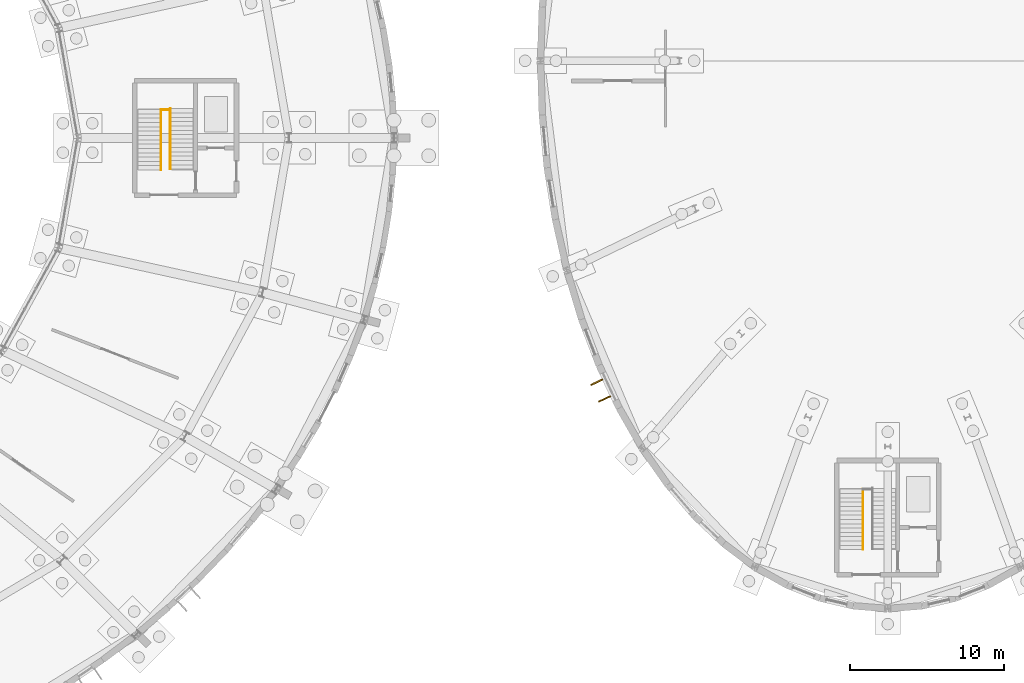
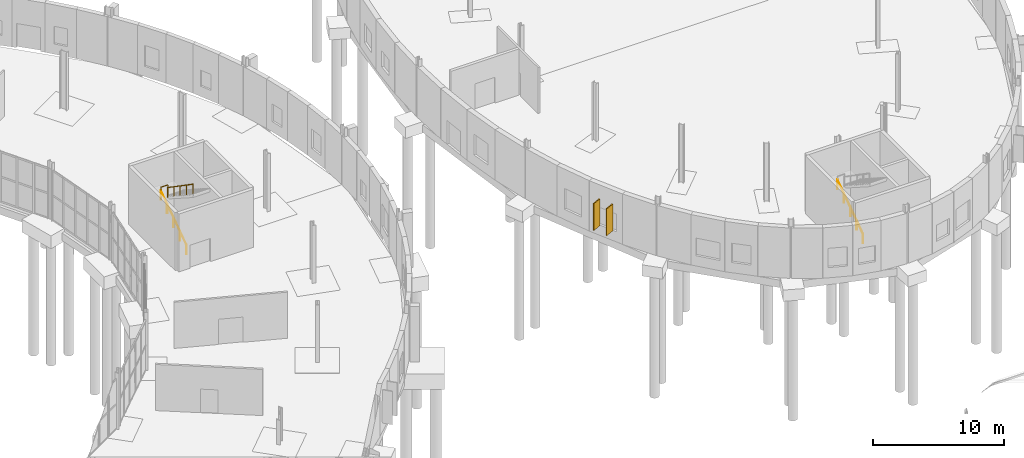
# One storey, part 113 of 118: 4 railings, 2 shading devices.
"""IFC4 building model written with IfcOpenShell, lengths in metres."""

from ifc_helpers import new_model, si_unit, direction, frame, origin, origin_2d, place, context, subcontext, project, spatial, rectangle, circle, extrude, material, layer, layer_set, type_object, element, save


model = new_model("IFC4")

# Units and contexts
model_context = context("Model", 3, precision=1e-05, world=origin(), true_north=direction((0.0, 1.0)))
body_context = subcontext(model_context, "Body", "Model", "MODEL_VIEW")
ifc_project = project(units=[si_unit("LENGTHUNIT", "METRE"), si_unit("AREAUNIT", "SQUARE_METRE"), si_unit("VOLUMEUNIT", "CUBIC_METRE"), si_unit("PLANEANGLEUNIT", "RADIAN"), si_unit("MASSUNIT", "GRAM", prefix="KILO")], contexts=[model_context])

# Site, building, storey
site_placement = place(None, origin())
site = spatial("IfcSite", under=ifc_project, at=site_placement, CompositionType="ELEMENT")
building_placement = place(site_placement, origin())
building = spatial("IfcBuilding", under=site, at=building_placement, Name="Kildeholm Park Wholesale Market", CompositionType="ELEMENT")
storey_placement = place(building_placement, origin())
storey = spatial("IfcBuildingStorey", under=building, at=storey_placement, Name="L00", CompositionType="ELEMENT", Elevation=0.0)

# Shading devices
ifc_material_1 = material(Name="Glazed ceramic and anodised aluminium brise-soleil", Category="aluminium")
ifc_layer = layer(ifc_material_1, 0.090087890625)
ifc_layer_set = layer_set([ifc_layer], Name="Glazed ceramic and anodised aluminium brise-soleil")
shading_device_type = type_object("IfcShadingDeviceType", Name="Brise-soleil solar fin SH-FIN2 850x90", PredefinedType="USERDEFINED", material=ifc_layer_set)
for number, where, z_axis, x_axis, name in (
    (1, (169.142333984375, 73.67236328125, 0.89990234375), (0.0, 0.0, 1.0), (-0.905161179634, -0.425068510812, 0.0), "Brise-soleil fin V2-09.1 SHD-0060"),
    (2, (169.65234375, 72.586181640625, 0.89990234375), (0.0, 0.0, 1.0), (-0.905161179634, -0.425068510812, 0.0), "Brise-soleil fin V2-09.2 SHD-0061"),
):
    element("IfcShadingDevice", number, at=place(storey_placement, frame(where, z_axis=z_axis, x_axis=x_axis)), inside=storey, type_object=shading_device_type, Name=name, ObjectType="SOLAR FIN", PredefinedType="USERDEFINED", context=body_context, shape_type="SweptSolid", body=[
        extrude(rectangle(XDim=0.85009765625, YDim=0.090087890625, at=origin_2d()), origin(), (0.0, 0.0, 1.0), 2.5),
    ])

# Railings
ifc_material_2 = material(Name="Painted steel and laminated glass balustrade", Category="steel")
railing_type_1 = type_object("IfcRailingType", Name="Interior gallery and stairwell guard GR-IN1 1200 mm", PredefinedType="GUARDRAIL", material=ifc_material_2)
railing_1_placement = place(storey_placement, frame((140.89990234375, 91.330078125, 2.699951171875)))
element("IfcRailing", 3, at=railing_1_placement, inside=storey, type_object=railing_type_1, Name="Stair C08 half-landing well guard L00 RLG-0098", PredefinedType="GUARDRAIL", context=body_context, shape_type="SweptSolid", body=[
    extrude(circle(Radius=0.02392578125, at=origin_2d()), frame((0.0, 0.0, 1.17578125), z_axis=(1.0, 0.0, 0.0), x_axis=(0.0, 1.0, 0.0)), (0.0, 0.0, 1.0), 0.610107421875),
    extrude(circle(Radius=0.02099609375, at=origin_2d()), origin(), (0.0, 0.0, 1.0), 1.15185546875),
    extrude(circle(Radius=0.02099609375, at=origin_2d()), frame((0.610107421875, 0.0, 0.0)), (0.0, 0.0, 1.0), 1.15185546875),
])
ifc_material_3 = material(Name="Stainless steel AISI 316 handrail", Category="steel")
railing_type_2 = type_object("IfcRailingType", Name="Stair flight handrail HR-IN1 900 mm", PredefinedType="HANDRAIL", material=ifc_material_3)
railing_2_placement = place(storey_placement, frame((140.89990234375, 87.419921875, 0.0)))
element("IfcRailing", 4, at=railing_2_placement, inside=storey, type_object=railing_type_2, Name="Stair C08 flight 1 handrail L00 RLG-0100", PredefinedType="HANDRAIL", context=body_context, shape_type="SweptSolid", body=[
    extrude(circle(Radius=0.02392578125, at=origin_2d()), frame((0.0, 0.0, 0.8759765625), z_axis=(0.0, 0.823567234665, 0.567218661528), x_axis=(-1.0, 0.0, 0.0)), (0.0, 0.0, 1.0), 4.760009765625),
    extrude(circle(Radius=0.02099609375, at=origin_2d()), origin(), (0.0, 0.0, 1.0), 0.851806640625),
    extrude(circle(Radius=0.02099609375, at=origin_2d()), frame((0.0, 0.97998046875, 0.675048828125)), (0.0, 0.0, 1.0), 0.851806640625),
    extrude(circle(Radius=0.02099609375, at=origin_2d()), frame((0.0, 1.9599609375, 1.35009765625)), (0.0, 0.0, 1.0), 0.851806640625),
    extrude(circle(Radius=0.02099609375, at=origin_2d()), frame((0.0, 2.940185546875, 2.02490234375)), (0.0, 0.0, 1.0), 0.851806640625),
    extrude(circle(Radius=0.02099609375, at=origin_2d()), frame((0.0, 3.920166015625, 2.699951171875)), (0.0, 0.0, 1.0), 0.851806640625),
])
railing_3_placement = place(storey_placement, frame((141.510009765625, 91.39990234375, 2.699951171875)))
element("IfcRailing", 5, at=railing_3_placement, inside=storey, type_object=railing_type_2, Name="Stair C08 flight 2 handrail L00 RLG-0101", PredefinedType="HANDRAIL", context=body_context, shape_type="SweptSolid", body=[
    extrude(circle(Radius=0.02392578125, at=origin_2d()), frame((0.0, 0.0, 0.8759765625), z_axis=(0.0, -0.823550731654, 0.567242622158), x_axis=(1.0, 0.0, 0.0)), (0.0, 0.0, 1.0), 4.759765625),
    extrude(circle(Radius=0.02099609375, at=origin_2d()), origin(), (0.0, 0.0, 1.0), 0.851806640625),
    extrude(circle(Radius=0.02099609375, at=origin_2d()), frame((0.0, -0.97998046875, 0.675048828125)), (0.0, 0.0, 1.0), 0.851806640625),
    extrude(circle(Radius=0.02099609375, at=origin_2d()), frame((0.0, -1.9599609375, 1.35009765625)), (0.0, 0.0, 1.0), 0.851806640625),
    extrude(circle(Radius=0.02099609375, at=origin_2d()), frame((0.0, -2.93994140625, 2.02490234375)), (0.0, 0.0, 1.0), 0.851806640625),
    extrude(circle(Radius=0.02099609375, at=origin_2d()), frame((0.0, -3.919921875, 2.699951171875)), (0.0, 0.0, 1.0), 0.851806640625),
])
railing_4_placement = place(storey_placement, frame((186.39990234375, 62.820068359375, 0.0)))
element("IfcRailing", 6, at=railing_4_placement, inside=storey, type_object=railing_type_2, Name="Stair C12 flight 1 handrail L00 RLG-0132", PredefinedType="HANDRAIL", context=body_context, shape_type="SweptSolid", body=[
    extrude(circle(Radius=0.02392578125, at=origin_2d()), frame((0.0, 0.0, 0.8759765625), z_axis=(0.0, 0.823550731654, 0.567242622158), x_axis=(-1.0, 0.0, 0.0)), (0.0, 0.0, 1.0), 4.759765625),
    extrude(circle(Radius=0.02099609375, at=origin_2d()), origin(), (0.0, 0.0, 1.0), 0.851806640625),
    extrude(circle(Radius=0.02099609375, at=origin_2d()), frame((0.0, 0.97998046875, 0.675048828125)), (0.0, 0.0, 1.0), 0.851806640625),
    extrude(circle(Radius=0.02099609375, at=origin_2d()), frame((0.0, 1.9599609375, 1.35009765625)), (0.0, 0.0, 1.0), 0.851806640625),
    extrude(circle(Radius=0.02099609375, at=origin_2d()), frame((0.0, 2.93994140625, 2.02490234375)), (0.0, 0.0, 1.0), 0.851806640625),
    extrude(circle(Radius=0.02099609375, at=origin_2d()), frame((0.0, 3.919921875, 2.699951171875)), (0.0, 0.0, 1.0), 0.851806640625),
])

save(model, "model.ifc")
